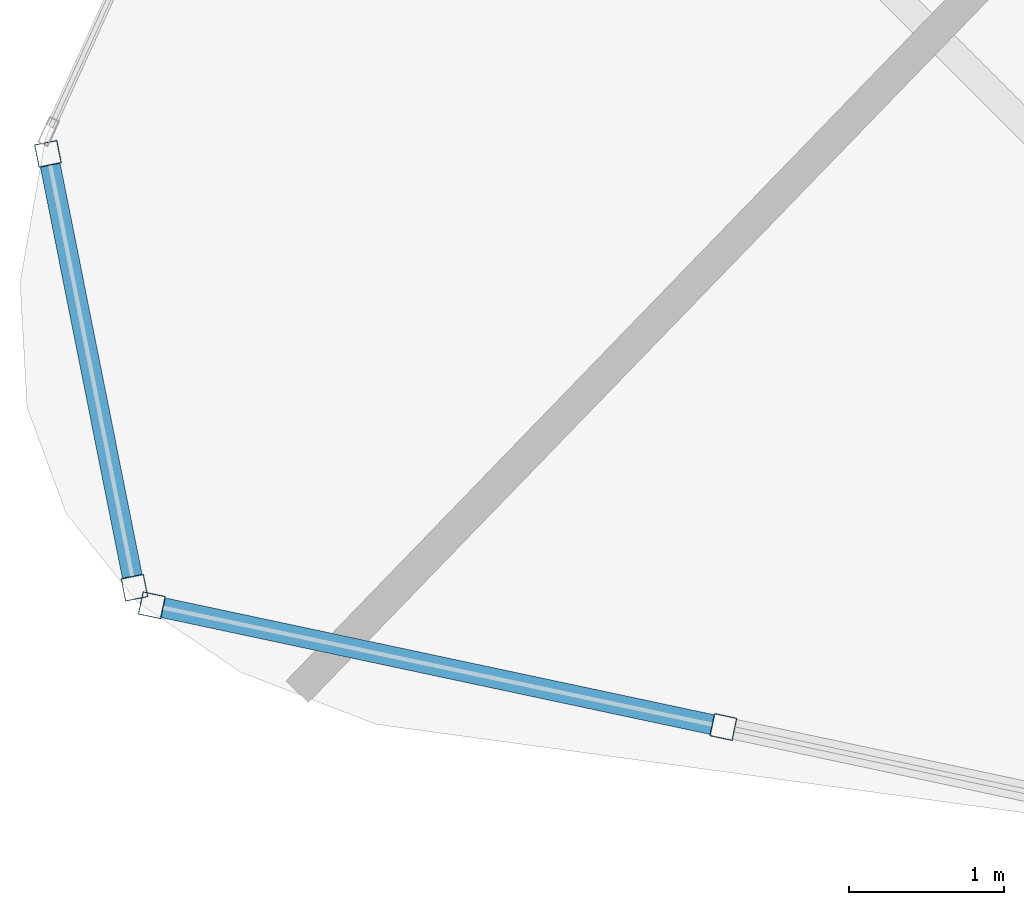
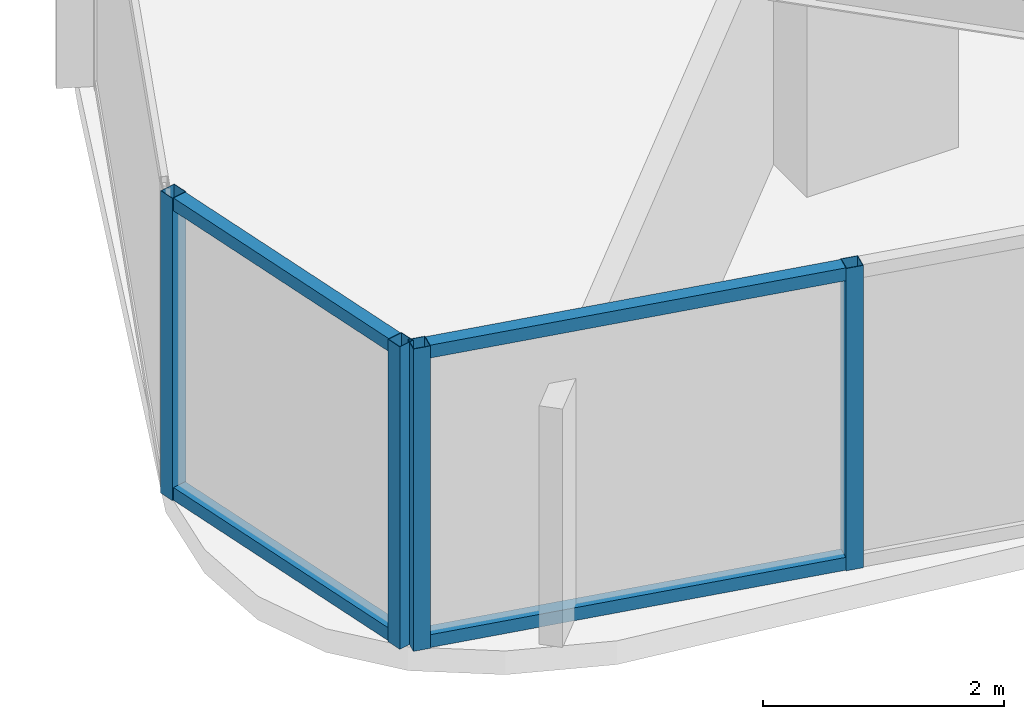
# One storey, part 2 of 31: 8 members, 2 elements without a shape of their own.
"""IFC4 building model written with IfcOpenShell, lengths in metres."""

import ifcopenshell
import ifcopenshell.guid

model = None  # the IFC model being written
_history = None  # IfcOwnerHistory: only IFC2X3 demands one
_inside = {}  # id of a spatial element -> (the spatial element, [elements in it])
_under = {}  # id of a project, library or spatial element -> (it, [spatial elements below it])
_declared = {}  # id of a project -> (the project, [libraries it declares])
_typed = {}  # id of a type object -> (the type object, [elements of that type])
_made_of = {}  # id of a material, layer set ... -> (it, [elements and type objects made of it])


def new_model(schema):
    """Start an empty IFC model of exactly this schema.

    Asked for "IFC4X3", IfcOpenShell would pick the latest addendum, in which some entities
    have other attributes; the version numbers below select the first issue.
    IFC2X3 requires an IfcOwnerHistory on every rooted entity: one is made here for all.
    """
    global model, _history
    if schema == "IFC4X3":
        model = ifcopenshell.file(schema_version=(4, 3, 0, 0))
    else:
        model = ifcopenshell.file(schema=schema)
    _inside.clear()
    _under.clear()
    _declared.clear()
    _typed.clear()
    _made_of.clear()
    _history = None
    if model.schema == "IFC2X3":
        org = make("IfcOrganization", Name="unknown")
        user = make(
            "IfcPersonAndOrganization",
            ThePerson=make("IfcPerson", FamilyName="unknown"),
            TheOrganization=org,
        )
        app = make(
            "IfcApplication",
            ApplicationDeveloper=org,
            Version="unknown",
            ApplicationFullName="unknown",
            ApplicationIdentifier="unknown",
        )
        _history = make(
            "IfcOwnerHistory",
            OwningUser=user,
            OwningApplication=app,
            ChangeAction="ADDED",
            CreationDate=0,
        )
    return model


def make(cls, **values):
    """One entity of the class cls with the attributes given. An attribute that is None is left unset."""
    return model.create_entity(
        cls, **{name: value for name, value in values.items() if value is not None}
    )


def rooted(cls, **values):
    """An entity with a GlobalId (a new one), such as an element, a storey or a relation."""
    return make(cls, GlobalId=ifcopenshell.guid.new(), OwnerHistory=_history, **values)


def si_unit(unit_type, name, prefix=None):
    """IfcSIUnit, for example si_unit("LENGTHUNIT", "METRE", prefix="MILLI")."""
    return make("IfcSIUnit", UnitType=unit_type, Prefix=prefix, Name=name)


def assignment(units):
    """IfcUnitAssignment: the units of a project."""
    return None if units is None else make("IfcUnitAssignment", Units=units)


def point(xyz):
    """IfcCartesianPoint."""
    return None if xyz is None else make("IfcCartesianPoint", Coordinates=xyz)


def direction(xyz):
    """IfcDirection."""
    return None if xyz is None else make("IfcDirection", DirectionRatios=xyz)


def frame(location, z_axis=None, x_axis=None):
    """IfcAxis2Placement3D, a coordinate frame: its origin and axes. An axis left out is left unset."""
    return make(
        "IfcAxis2Placement3D",
        Location=point(location),
        Axis=direction(z_axis),
        RefDirection=direction(x_axis),
    )


def frame_2d(location, x_axis=None):
    """IfcAxis2Placement2D, a coordinate frame in the plane: its origin and x axis."""
    return make(
        "IfcAxis2Placement2D", Location=point(location), RefDirection=direction(x_axis)
    )


def origin():
    """The frame at (0, 0, 0) with its axes left unset."""
    return frame((0.0, 0.0, 0.0))


def origin_2d():
    """The frame at (0, 0) in the plane with its x axis left unset."""
    return frame_2d((0.0, 0.0))


def place(relative_to, where):
    """IfcLocalPlacement: puts the frame where relative to a parent placement (None: the world)."""
    return make(
        "IfcLocalPlacement", PlacementRelTo=relative_to, RelativePlacement=where
    )


def context(
    kind, dimensions, precision=None, world=None, true_north=None, identifier=None
):
    """IfcGeometricRepresentationContext, for example the 3D "Model" context."""
    return make(
        "IfcGeometricRepresentationContext",
        ContextIdentifier=identifier,
        ContextType=kind,
        CoordinateSpaceDimension=dimensions,
        Precision=precision,
        WorldCoordinateSystem=world,
        TrueNorth=true_north,
    )


def subcontext(parent, identifier, kind, view, scale=None):
    """IfcGeometricRepresentationSubContext, for example "Body" below "Model"."""
    return make(
        "IfcGeometricRepresentationSubContext",
        ContextIdentifier=identifier,
        ContextType=kind,
        ParentContext=parent,
        TargetScale=scale,
        TargetView=view,
    )


def project(units=None, contexts=None):
    """IfcProject with its units and contexts."""
    return rooted(
        "IfcProject",
        Name="project",
        RepresentationContexts=contexts,
        UnitsInContext=assignment(units),
    )


def spatial(cls, under=None, at=None, **own):
    """A site, building, storey or space (cls), placed at a placement, below another one or the project."""
    s = rooted(cls, ObjectPlacement=at, **own)
    if under is not None:
        _under.setdefault(under.id(), (under, []))[1].append(s)
    return s


def profile(cls, at=None, kind="AREA", **sizes):
    """A parametric profile (cls). Its sizes go by their IFC names, for example OverallWidth=200.0."""
    return make(cls, ProfileType=kind, Position=at, **sizes)


def hollow_rectangle(**sizes):
    """IfcRectangleHollowProfileDef."""
    return profile("IfcRectangleHollowProfileDef", **sizes)


def extrude(swept, where, along, depth):
    """IfcExtrudedAreaSolid: the profile swept, set in the frame where, extruded along a direction by depth."""
    return make(
        "IfcExtrudedAreaSolid",
        SweptArea=swept,
        Position=where,
        ExtrudedDirection=direction(along),
        Depth=depth,
    )


def shape(context_of_items, identifier, shape_type, items):
    """IfcShapeRepresentation: the items that make up one representation, for example the "Body"."""
    return make(
        "IfcShapeRepresentation",
        ContextOfItems=context_of_items,
        RepresentationIdentifier=identifier,
        RepresentationType=shape_type,
        Items=items,
    )


def material(Name=None, Category=None):
    """IfcMaterial."""
    return make("IfcMaterial", Name=Name, Category=Category)


def layer(
    of_material, thickness, ventilated=None, Name=None, Category=None, Priority=None
):
    """IfcMaterialLayer: one layer of a wall or slab, of a material (None: an air gap)."""
    return make(
        "IfcMaterialLayer",
        Material=of_material,
        LayerThickness=thickness,
        IsVentilated=ventilated,
        Name=Name,
        Category=Category,
        Priority=Priority,
    )


def layer_set(layers, Name=None):
    """IfcMaterialLayerSet."""
    return make("IfcMaterialLayerSet", MaterialLayers=layers, LayerSetName=Name)


def material_profile(
    of_material, cross_section, Name=None, Category=None, Priority=None
):
    """IfcMaterialProfile: a cross section and its material."""
    return make(
        "IfcMaterialProfile",
        Name=Name,
        Material=of_material,
        Profile=cross_section,
        Priority=Priority,
        Category=Category,
    )


def profile_set(profiles, Name=None, composite=None):
    """IfcMaterialProfileSet."""
    return make(
        "IfcMaterialProfileSet",
        Name=Name,
        MaterialProfiles=profiles,
        CompositeProfile=composite,
    )


def made_of(thing, what):
    """Note that an element or type object is made of a material, layer set ...; save() writes the relation."""
    if what is not None:
        _made_of.setdefault(what.id(), (what, []))[1].append(thing)
    return thing


def type_object(cls, material=None, **own):
    """A type object (cls), such as IfcWallType, which elements share."""
    return made_of(rooted(cls, **own), material)


def element(
    cls,
    number,
    at=None,
    inside=None,
    cuts=None,
    type_object=None,
    material=None,
    context=None,
    identifier="Body",
    shape_type=None,
    held_by="IfcProductDefinitionShape",
    body=None,
    shapes=None,
    **own,
):
    """One element of the class cls, such as IfcWall. Its Tag is "e" and its number.

    at: its placement. inside: the storey or other place that contains it. cuts: it is an
    opening in that element (IfcRelVoidsElement). A single representation is given by context,
    identifier, shape_type and body (its items); several are given by shapes. held_by: the class
    of the entity that holds the representations. save() writes the other relations.
    """
    e = rooted(cls, Tag="e%d" % number, ObjectPlacement=at, **own)
    if body is not None:
        shapes = [shape(context, identifier, shape_type, body)]
    if shapes is not None:
        e.Representation = make(held_by, Representations=shapes)
    if inside is not None:
        _inside.setdefault(inside.id(), (inside, []))[1].append(e)
    if cuts is not None:
        rooted(
            "IfcRelVoidsElement", RelatingBuildingElement=cuts, RelatedOpeningElement=e
        )
    if type_object is not None:
        _typed.setdefault(type_object.id(), (type_object, []))[1].append(e)
    return made_of(e, material)


def aggregate(whole, parts):
    """IfcRelAggregates: a whole, such as a stair, and the parts it consists of."""
    return rooted("IfcRelAggregates", RelatingObject=whole, RelatedObjects=parts)


def save(model, path):
    """Write the relations noted so far, then the file.

    IfcRelAggregates (storeys below a building ...), IfcRelContainedInSpatialStructure (elements
    in a storey), IfcRelDefinesByType, IfcRelAssociatesMaterial and IfcRelDeclares: one each for
    every whole, place, type object, material and project.
    """
    for whole, parts in _under.values():
        aggregate(whole, parts)
    for where, things in _inside.values():
        rooted(
            "IfcRelContainedInSpatialStructure",
            RelatedElements=things,
            RelatingStructure=where,
        )
    for kind, things in _typed.values():
        rooted("IfcRelDefinesByType", RelatedObjects=things, RelatingType=kind)
    for what, things in _made_of.values():
        rooted("IfcRelAssociatesMaterial", RelatedObjects=things, RelatingMaterial=what)
    for by, libraries in _declared.values():
        rooted("IfcRelDeclares", RelatingContext=by, RelatedDefinitions=libraries)
    model.write(path)


model = new_model("IFC4")

# Units and contexts
model_context = context("Model", 3, precision=1e-05, world=origin(), true_north=direction((0.0, 1.0)))
body_context = subcontext(model_context, "Body", "Model", "MODEL_VIEW")
ifc_project = project(units=[si_unit("LENGTHUNIT", "METRE"), si_unit("AREAUNIT", "SQUARE_METRE"), si_unit("VOLUMEUNIT", "CUBIC_METRE"), si_unit("PLANEANGLEUNIT", "RADIAN"), si_unit("MASSUNIT", "GRAM", prefix="KILO")], contexts=[model_context])

# Site, building, storey
site_placement = place(None, origin())
site = spatial("IfcSite", under=ifc_project, at=site_placement, CompositionType="ELEMENT")
building_placement = place(site_placement, origin())
building = spatial("IfcBuilding", under=site, at=building_placement, Name="Orvanel Arch Residences", CompositionType="ELEMENT")
storey_placement = place(building_placement, frame((0.0, 0.0, 106.699951171875)))
storey = spatial("IfcBuildingStorey", under=building, at=storey_placement, Name="L29", CompositionType="ELEMENT", Elevation=106.699951171875)

# Curtain wall, members
ifc_material = material(Name="Bronze-anodised aluminium AA6063-T6", Category="aluminium")
ifc_layer = layer(ifc_material, 0.18994140625)
ifc_layer_set = layer_set([ifc_layer], Name="Bronze-anodised aluminium AA6063-T6")
curtain_wall_type = type_object("IfcCurtainWallType", Name="CW5-CRN-SYS", PredefinedType="NOTDEFINED", material=ifc_layer_set)
curtain_wall_1_placement = place(storey_placement, origin())
curtain_wall_1 = element("IfcCurtainWall", 1, at=curtain_wall_1_placement, inside=storey, type_object=curtain_wall_type, Name="L29 CW5-CRN-SYS Unitised Curtain Wall", PredefinedType="NOTDEFINED")
ifc_material_profile_1 = material_profile(ifc_material, hollow_rectangle(XDim=0.14990234375, YDim=0.14990234375, WallThickness=0.0048828125, at=origin_2d()), Name="ALU150x150x5")
ifc_profile_set_1 = profile_set([ifc_material_profile_1], Name="Bronze-anodised aluminium AA6063-T6")
member_type_1 = type_object("IfcMemberType", Name="MUL-150x150", PredefinedType="MULLION", material=ifc_profile_set_1)
member_1_placement = place(storey_placement, frame((6.78564453125, 8.54736328125, 0.0), z_axis=(0.0, 0.0, 1.0), x_axis=(0.980695620898, 0.195540530712, 0.0)))
member_1 = element("IfcMember", 2, at=member_1_placement, type_object=member_type_1, Name="CW-S5 mullion 1", PredefinedType="MULLION", context=body_context, shape_type="SweptSolid", body=[
    extrude(hollow_rectangle(XDim=0.14990234375, YDim=0.14990234375, WallThickness=0.0048828125, at=origin_2d()), origin(), (0.0, 0.0, 1.0), 3.06005859375),
])
member_2_placement = place(storey_placement, frame((7.34423828125, 5.74560546875, 0.0), z_axis=(0.0, 0.0, 1.0), x_axis=(0.980695620898, 0.195540530712, 0.0)))
member_2 = element("IfcMember", 3, at=member_2_placement, type_object=member_type_1, Name="CW-S5 mullion 2", PredefinedType="MULLION", context=body_context, shape_type="SweptSolid", body=[
    extrude(hollow_rectangle(XDim=0.14990234375, YDim=0.14990234375, WallThickness=0.0048828125, at=origin_2d()), origin(), (0.0, 0.0, 1.0), 3.06005859375),
])

curtain_wall_2_placement = place(storey_placement, origin())
curtain_wall_2 = element("IfcCurtainWall", 4, at=curtain_wall_2_placement, inside=storey, type_object=curtain_wall_type, Name="L29 CW5-CRN-SYS Unitised Curtain Wall", PredefinedType="NOTDEFINED")
member_3_placement = place(storey_placement, frame((7.456298828125, 5.63232421875, 0.0), z_axis=(0.0, 0.0, 1.0), x_axis=(0.208295433244, 0.978065955082, 0.0)))
member_3 = element("IfcMember", 5, at=member_3_placement, type_object=member_type_1, Name="CW-S5 mullion 1", PredefinedType="MULLION", context=body_context, shape_type="SweptSolid", body=[
    extrude(hollow_rectangle(XDim=0.14990234375, YDim=0.14990234375, WallThickness=0.0048828125, at=origin_2d()), origin(), (0.0, 0.0, 1.0), 3.06005859375),
])
member_4_placement = place(storey_placement, frame((11.146484375, 4.846435546875, 0.0), z_axis=(0.0, 0.0, 1.0), x_axis=(0.208295433244, 0.978065955082, 0.0)))
member_4 = element("IfcMember", 6, at=member_4_placement, type_object=member_type_1, Name="CW-S5 mullion 2", PredefinedType="MULLION", context=body_context, shape_type="SweptSolid", body=[
    extrude(hollow_rectangle(XDim=0.14990234375, YDim=0.14990234375, WallThickness=0.0048828125, at=origin_2d()), origin(), (0.0, 0.0, 1.0), 3.06005859375),
])

# Member
ifc_material_profile_2 = material_profile(ifc_material, hollow_rectangle(XDim=0.1298828125, YDim=0.1298828125, WallThickness=0.00439453125, at=origin_2d()), Name="ALU130x130x4.5")
ifc_profile_set_2 = profile_set([ifc_material_profile_2], Name="Bronze-anodised aluminium AA6063-T6")
member_type_2 = type_object("IfcMemberType", Name="TRN-130x130", PredefinedType="USERDEFINED", material=ifc_profile_set_2)
member_5_placement = place(storey_placement, frame((6.80029296875, 8.473876953125, 0.06494140625), z_axis=(0.195526412441, -0.980698435829, 0.0), x_axis=(0.980698435829, 0.195526412441, 0.0)))
member_5 = element("IfcMember", 7, at=member_5_placement, type_object=member_type_2, Name="CW-S5 transom 1.1", ObjectType="TRANSOM", PredefinedType="USERDEFINED", context=body_context, shape_type="SweptSolid", body=[
    extrude(hollow_rectangle(XDim=0.1298828125, YDim=0.1298828125, WallThickness=0.00439453125, at=origin_2d()), origin(), (0.0, 0.0, 1.0), 2.70703125),
])

member_6_placement = place(storey_placement, frame((6.80029296875, 8.473876953125, 2.9951171875), z_axis=(0.195526412441, -0.980698435829, 0.0), x_axis=(0.980698435829, 0.195526412441, 0.0)))
member_6 = element("IfcMember", 8, at=member_6_placement, type_object=member_type_2, Name="CW-S5 transom 1.2", ObjectType="TRANSOM", PredefinedType="USERDEFINED", context=body_context, shape_type="SweptSolid", body=[
    extrude(hollow_rectangle(XDim=0.1298828125, YDim=0.1298828125, WallThickness=0.00439453125, at=origin_2d()), origin(), (0.0, 0.0, 1.0), 2.70703125),
])

aggregate(curtain_wall_1, [member_1, member_2, member_5, member_6])

member_7_placement = place(storey_placement, frame((7.52978515625, 5.61669921875, 0.06494140625), z_axis=(0.978065927724, -0.208295561705, 0.0), x_axis=(0.208295561705, 0.978065927724, 0.0)))
member_7 = element("IfcMember", 9, at=member_7_placement, type_object=member_type_2, Name="CW-S5 transom 1.1", ObjectType="TRANSOM", PredefinedType="USERDEFINED", context=body_context, shape_type="SweptSolid", body=[
    extrude(hollow_rectangle(XDim=0.1298828125, YDim=0.1298828125, WallThickness=0.00439453125, at=origin_2d()), origin(), (0.0, 0.0, 1.0), 3.622802734375),
])

member_8_placement = place(storey_placement, frame((7.52978515625, 5.61669921875, 2.9951171875), z_axis=(0.978065927724, -0.208295561705, 0.0), x_axis=(0.208295561705, 0.978065927724, 0.0)))
member_8 = element("IfcMember", 10, at=member_8_placement, type_object=member_type_2, Name="CW-S5 transom 1.2", ObjectType="TRANSOM", PredefinedType="USERDEFINED", context=body_context, shape_type="SweptSolid", body=[
    extrude(hollow_rectangle(XDim=0.1298828125, YDim=0.1298828125, WallThickness=0.00439453125, at=origin_2d()), origin(), (0.0, 0.0, 1.0), 3.622802734375),
])

aggregate(curtain_wall_2, [member_3, member_4, member_7, member_8])

save(model, "model.ifc")
